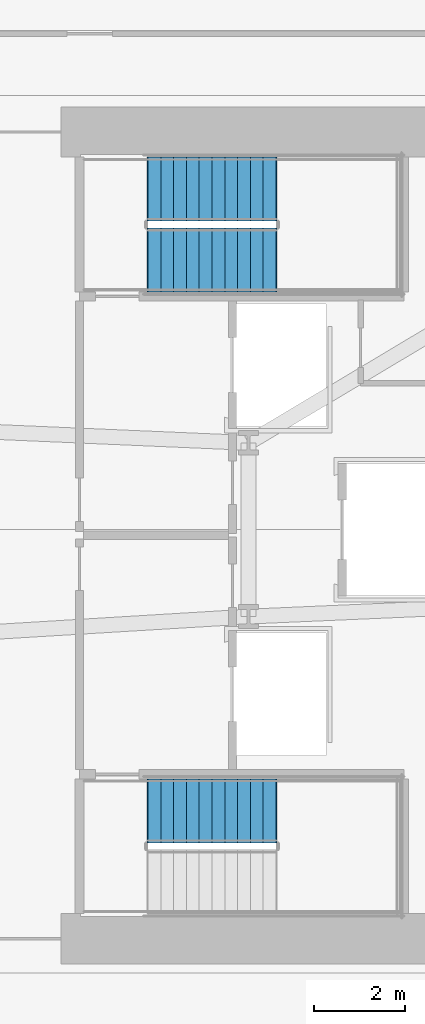
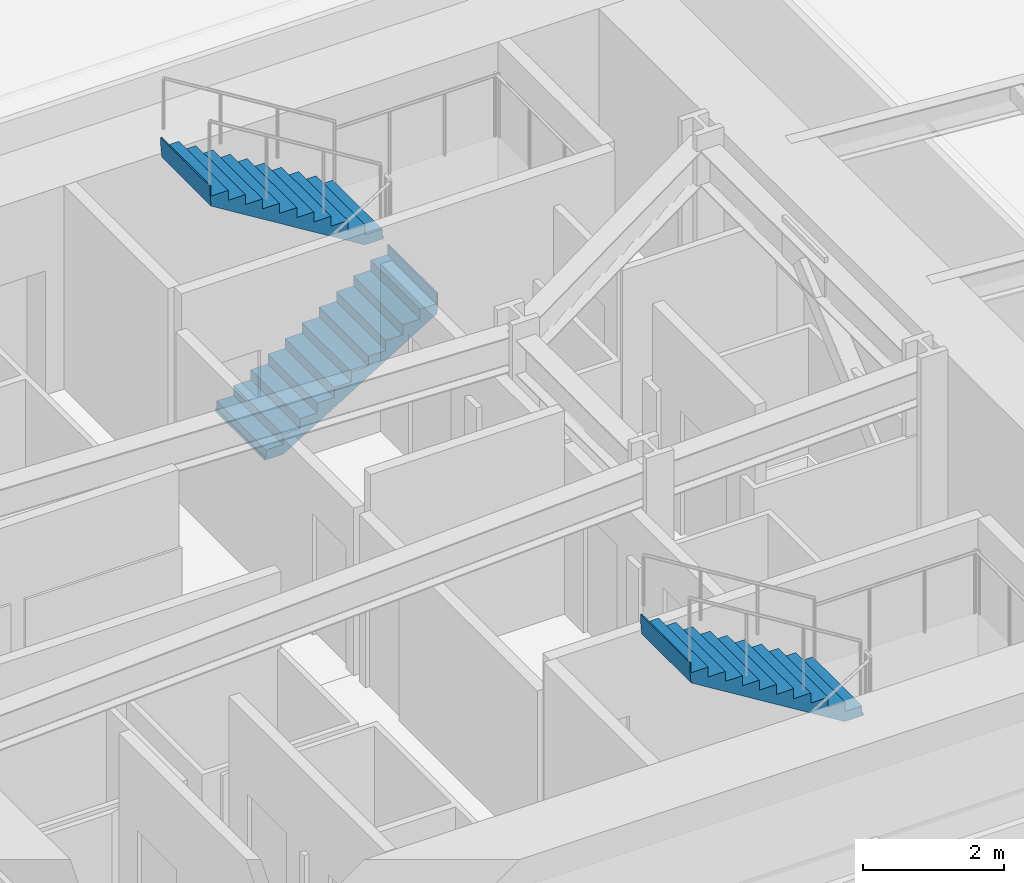
# One storey, part 10 of 17: 3 stair flights, 2 elements without a shape of their own.
"""IFC4 building model written with IfcOpenShell, lengths in metres."""

from ifc_helpers import new_model, si_unit, direction, frame, origin, place, context, subcontext, project, spatial, polyline, outline, extrude, material, type_object, element, aggregate, save


model = new_model("IFC4")

# Units and contexts
model_context = context("Model", 3, precision=1e-05, world=origin(), true_north=direction((0.0, 1.0)))
body_context = subcontext(model_context, "Body", "Model", "MODEL_VIEW")
ifc_project = project(units=[si_unit("LENGTHUNIT", "METRE"), si_unit("AREAUNIT", "SQUARE_METRE"), si_unit("VOLUMEUNIT", "CUBIC_METRE"), si_unit("PLANEANGLEUNIT", "RADIAN"), si_unit("MASSUNIT", "GRAM", prefix="KILO")], contexts=[model_context])

# Site, building, storey
site_placement = place(None, origin())
site = spatial("IfcSite", under=ifc_project, at=site_placement, CompositionType="ELEMENT")
building_placement = place(site_placement, origin())
building = spatial("IfcBuilding", under=site, at=building_placement, Name="Valkerne Bourse Tower", CompositionType="ELEMENT")
storey_placement = place(building_placement, frame((0.0, 0.0, 73.39990234375)))
storey = spatial("IfcBuildingStorey", under=building, at=storey_placement, Name="L18", CompositionType="ELEMENT", Elevation=73.39990234375)

# Stair, stair flight
ifc_material = material(Name="Concrete C40/50", Category="concrete")
stair_type = type_object("IfcStairType", Name="ST-CORE-1400", PredefinedType="HALF_TURN_STAIR", material=ifc_material)
stair_1_placement = place(storey_placement, origin())
stair_1 = element("IfcStair", 1, at=stair_1_placement, inside=storey, type_object=stair_type, Name="L18 ST-1", PredefinedType="HALF_TURN_STAIR")
stair_flight_type = type_object("IfcStairFlightType", Name="STF-CORE-1400", PredefinedType="STRAIGHT", material=ifc_material)
stair_flight_1_placement = place(storey_placement, frame((50.949951171875, 20.85009765625, 1.900146484375), z_axis=(0.0, 0.0, 1.0), x_axis=(-1.0, 0.0, 0.0)))
stair_flight_1 = element("IfcStairFlight", 2, at=stair_flight_1_placement, type_object=stair_flight_type, Name="ST-1 flight 2", NumberOfRisers=11, NumberOfTreads=10, PredefinedType="STRAIGHT", RiserHeight=0.172727273, TreadLength=0.28, context=body_context, shape_type="SweptSolid", body=[
    extrude(outline(polyline([(-0.02001953125, 0.0), (-0.02001953125, 0.044921875), (0.0, 0.044921875), (0.0, 0.172607421875), (0.280029296875, 0.172607421875), (0.280029296875, 0.345458984375), (0.56005859375, 0.345458984375), (0.56005859375, 0.51806640625), (0.840087890625, 0.51806640625), (0.840087890625, 0.69091796875), (1.1201171875, 0.69091796875), (1.1201171875, 0.863525390625), (1.39990234375, 0.863525390625), (1.39990234375, 1.036376953125), (1.679931640625, 1.036376953125), (1.679931640625, 1.208984375), (1.9599609375, 1.208984375), (1.9599609375, 1.3818359375), (2.239990234375, 1.3818359375), (2.239990234375, 1.554443359375), (2.52001953125, 1.554443359375), (2.52001953125, 1.727294921875), (2.800048828125, 1.727294921875), (2.800048828125, 1.89990234375), (2.820068359375, 1.89990234375), (2.820068359375, 1.780029296875), (2.800048828125, 1.551025390625), (0.285400390625, 0.0), (-0.02001953125, 0.0)])), frame((0.0, 0.699951171875, 0.0), z_axis=(0.0, -1.0, 0.0), x_axis=(1.0, 0.0, 0.0)), (0.0, 0.0, 1.0), 1.39990234375),
])
aggregate(stair_1, [stair_flight_1])

# Stair, stair flights
stair_2_placement = place(storey_placement, origin())
stair_2 = element("IfcStair", 3, at=stair_2_placement, inside=storey, type_object=stair_type, Name="L18 ST-2", PredefinedType="HALF_TURN_STAIR")
stair_flight_2_placement = place(storey_placement, frame((48.14990234375, 32.89990234375, 0.0), z_axis=(0.0, 0.0, 1.0), x_axis=(1.0, 0.0, 0.0)))
stair_flight_2 = element("IfcStairFlight", 4, at=stair_flight_2_placement, type_object=stair_flight_type, Name="ST-2 flight 1", NumberOfRisers=11, NumberOfTreads=10, PredefinedType="STRAIGHT", RiserHeight=0.172727273, TreadLength=0.28, context=body_context, shape_type="SweptSolid", body=[
    extrude(outline(polyline([(-0.02001953125, 0.0), (-0.02001953125, 0.044921875), (0.0, 0.044921875), (0.0, 0.172607421875), (0.280029296875, 0.172607421875), (0.280029296875, 0.345458984375), (0.56005859375, 0.345458984375), (0.56005859375, 0.51806640625), (0.840087890625, 0.51806640625), (0.840087890625, 0.69091796875), (1.1201171875, 0.69091796875), (1.1201171875, 0.863525390625), (1.39990234375, 0.863525390625), (1.39990234375, 1.036376953125), (1.679931640625, 1.036376953125), (1.679931640625, 1.208984375), (1.9599609375, 1.208984375), (1.9599609375, 1.3818359375), (2.239990234375, 1.3818359375), (2.239990234375, 1.554443359375), (2.52001953125, 1.554443359375), (2.52001953125, 1.727294921875), (2.800048828125, 1.727294921875), (2.800048828125, 1.89990234375), (2.820068359375, 1.89990234375), (2.820068359375, 1.780029296875), (2.800048828125, 1.551025390625), (0.285400390625, 0.0), (-0.02001953125, 0.0)])), frame((0.0, 0.699951171875, 0.0), z_axis=(0.0, -1.0, 0.0), x_axis=(1.0, 0.0, 0.0)), (0.0, 0.0, 1.0), 1.39990234375),
])
stair_flight_3_placement = place(storey_placement, frame((50.949951171875, 34.449951171875, 1.900146484375), z_axis=(0.0, 0.0, 1.0), x_axis=(-1.0, 0.0, 0.0)))
stair_flight_3 = element("IfcStairFlight", 5, at=stair_flight_3_placement, type_object=stair_flight_type, Name="ST-2 flight 2", NumberOfRisers=11, NumberOfTreads=10, PredefinedType="STRAIGHT", RiserHeight=0.172727273, TreadLength=0.28, context=body_context, shape_type="SweptSolid", body=[
    extrude(outline(polyline([(-0.02001953125, 0.0), (-0.02001953125, 0.044921875), (0.0, 0.044921875), (0.0, 0.172607421875), (0.280029296875, 0.172607421875), (0.280029296875, 0.345458984375), (0.56005859375, 0.345458984375), (0.56005859375, 0.51806640625), (0.840087890625, 0.51806640625), (0.840087890625, 0.69091796875), (1.1201171875, 0.69091796875), (1.1201171875, 0.863525390625), (1.39990234375, 0.863525390625), (1.39990234375, 1.036376953125), (1.679931640625, 1.036376953125), (1.679931640625, 1.208984375), (1.9599609375, 1.208984375), (1.9599609375, 1.3818359375), (2.239990234375, 1.3818359375), (2.239990234375, 1.554443359375), (2.52001953125, 1.554443359375), (2.52001953125, 1.727294921875), (2.800048828125, 1.727294921875), (2.800048828125, 1.89990234375), (2.820068359375, 1.89990234375), (2.820068359375, 1.780029296875), (2.800048828125, 1.551025390625), (0.285400390625, 0.0), (-0.02001953125, 0.0)])), frame((0.0, 0.699951171875, 0.0), z_axis=(0.0, -1.0, 0.0), x_axis=(1.0, 0.0, 0.0)), (0.0, 0.0, 1.0), 1.39990234375),
])
aggregate(stair_2, [stair_flight_2, stair_flight_3])

save(model, "model.ifc")
